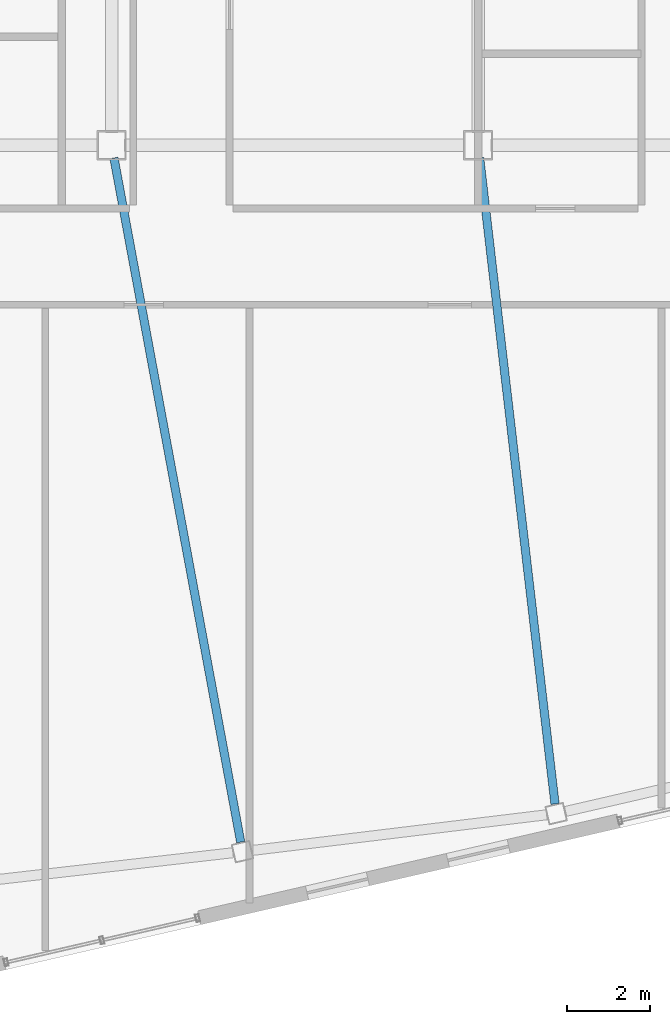
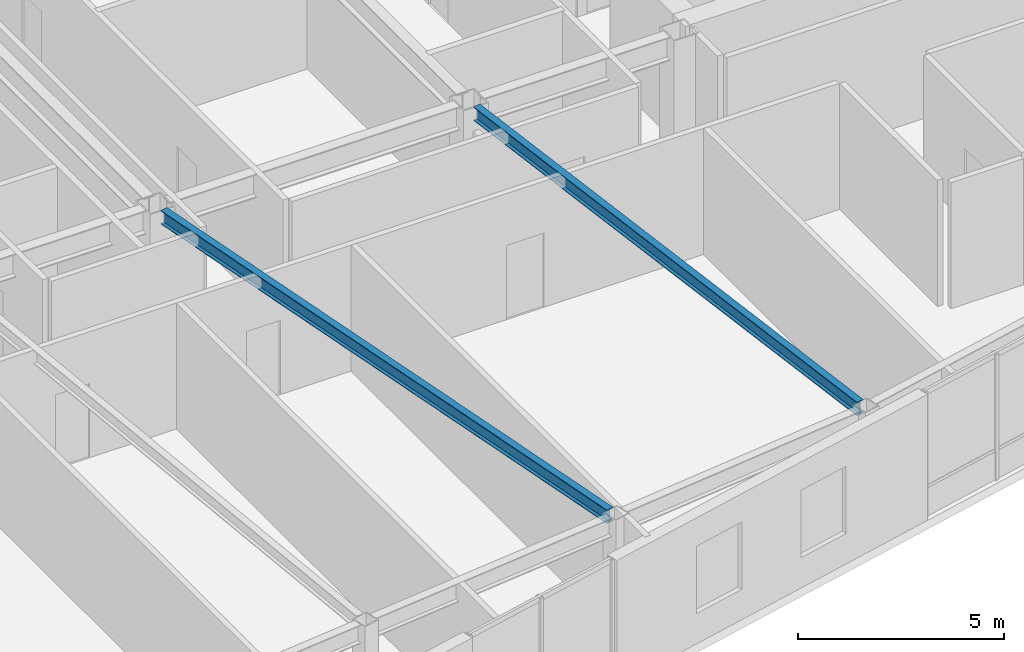
# One storey, part 10 of 22: 2 beams.
"""IFC4 building model written with IfcOpenShell, lengths in metres."""

from ifc_helpers import new_model, si_unit, direction, frame, origin, origin_2d, place, context, subcontext, project, spatial, i_section, extrude, material, material_profile, profile_set, type_object, element, save


model = new_model("IFC4")

# Units and contexts
model_context = context("Model", 3, precision=1e-05, world=origin(), true_north=direction((0.0, 1.0)))
body_context = subcontext(model_context, "Body", "Model", "MODEL_VIEW")
ifc_project = project(units=[si_unit("LENGTHUNIT", "METRE"), si_unit("AREAUNIT", "SQUARE_METRE"), si_unit("VOLUMEUNIT", "CUBIC_METRE"), si_unit("PLANEANGLEUNIT", "RADIAN"), si_unit("MASSUNIT", "GRAM", prefix="KILO")], contexts=[model_context])

# Site, building, storey
site_placement = place(None, origin())
site = spatial("IfcSite", under=ifc_project, at=site_placement, CompositionType="ELEMENT")
building_placement = place(site_placement, origin())
building = spatial("IfcBuilding", under=site, at=building_placement, Name="Tavrogorsk Clinical Tower", CompositionType="ELEMENT")
storey_placement = place(building_placement, frame((0.0, 0.0, 317.0)))
storey = spatial("IfcBuildingStorey", under=building, at=storey_placement, Name="L74", CompositionType="ELEMENT", Elevation=317.0)

# Beams
ifc_material = material(Name="Structural steel S355", Category="steel")
ifc_material_profile = material_profile(ifc_material, i_section(OverallWidth=0.199951171875, OverallDepth=0.39990234375, WebThickness=0.010498046875, FlangeThickness=0.01611328125, at=origin_2d()), Name="B-400x200x10.5x16")
ifc_profile_set = profile_set([ifc_material_profile], Name="Structural steel S355")
beam_type = type_object("IfcBeamType", Name="FloorBeam_B400", PredefinedType="BEAM", material=ifc_profile_set)
beam_1_placement = place(storey_placement, frame((-4.343505859375, -6.65478515625, 3.5400390625), z_axis=(0.182181887688, -0.98326484723, 0.0), x_axis=(0.98326484723, 0.182181887688, 0.0)))
element("IfcBeam", 1, at=beam_1_placement, inside=storey, type_object=beam_type, Name="L74 Radial Floor Beam S4", PredefinedType="BEAM", context=body_context, shape_type="SweptSolid", body=[
    extrude(i_section(OverallWidth=0.199951171875, OverallDepth=0.39990234375, WebThickness=0.010498046875, FlangeThickness=0.01611328125, at=origin_2d()), origin(), (0.0, 0.0, 1.0), 16.70556640625),
])
beam_2_placement = place(storey_placement, frame((4.43603515625, -6.657958984375, 3.5400390625), z_axis=(0.115903069025, -0.993260529061, 0.0), x_axis=(0.993260529061, 0.115903069025, 0.0)))
element("IfcBeam", 2, at=beam_2_placement, inside=storey, type_object=beam_type, Name="L74 Radial Floor Beam S5", PredefinedType="BEAM", context=body_context, shape_type="SweptSolid", body=[
    extrude(i_section(OverallWidth=0.199951171875, OverallDepth=0.39990234375, WebThickness=0.010498046875, FlangeThickness=0.01611328125, at=origin_2d()), origin(), (0.0, 0.0, 1.0), 15.61279296875),
])

save(model, "model.ifc")
